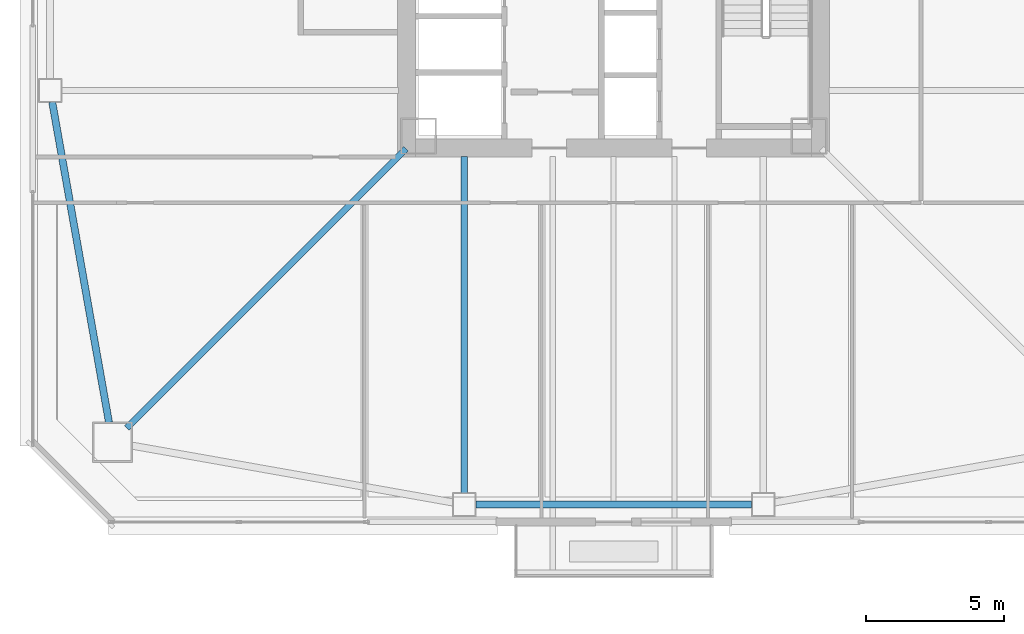
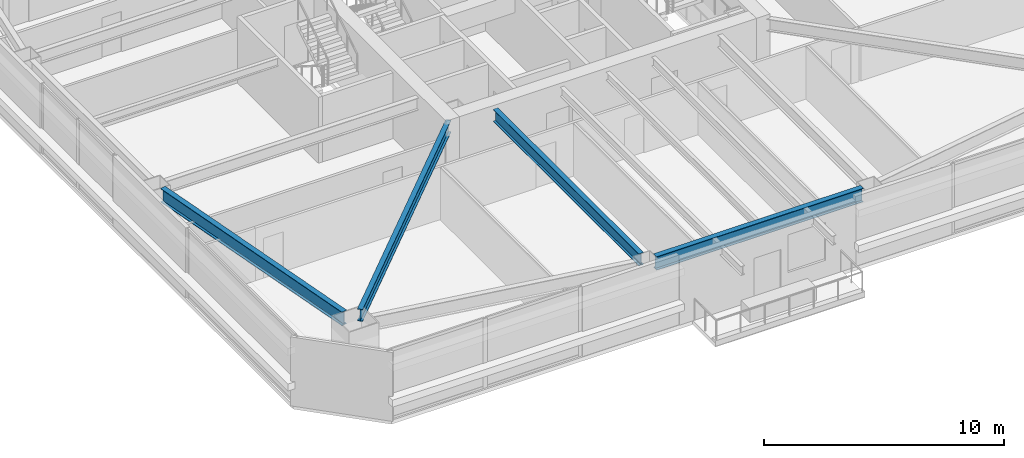
# One storey, part 4 of 44: 4 beams.
"""IFC4 building model written with IfcOpenShell, lengths in metres."""

from ifc_helpers import new_model, si_unit, direction, frame, origin, origin_2d, place, context, subcontext, project, spatial, i_section, extrude, material, material_profile, profile_set, type_object, element, save


model = new_model("IFC4")

# Units and contexts
model_context = context("Model", 3, precision=1e-05, world=origin(), true_north=direction((0.0, 1.0)))
body_context = subcontext(model_context, "Body", "Model", "MODEL_VIEW")
ifc_project = project(units=[si_unit("LENGTHUNIT", "METRE"), si_unit("AREAUNIT", "SQUARE_METRE"), si_unit("VOLUMEUNIT", "CUBIC_METRE"), si_unit("PLANEANGLEUNIT", "RADIAN"), si_unit("MASSUNIT", "GRAM", prefix="KILO")], contexts=[model_context])

# Site, building, storey
site_placement = place(None, origin())
site = spatial("IfcSite", under=ifc_project, at=site_placement, CompositionType="ELEMENT")
building_placement = place(site_placement, origin())
building = spatial("IfcBuilding", under=site, at=building_placement, Name="Tashvorn Skyway Center", CompositionType="ELEMENT")
storey_placement = place(building_placement, frame((0.0, 0.0, 92.050048828125)))
storey = spatial("IfcBuildingStorey", under=building, at=storey_placement, Name="L24", CompositionType="ELEMENT", Elevation=92.050048828125)

# Beams
ifc_material = material(Name="Steel ASTM A992 Grade 50", Category="steel")
ifc_material_profile_1 = material_profile(ifc_material, i_section(OverallWidth=0.22998046875, OverallDepth=0.616943359375, WebThickness=0.01318359375, FlangeThickness=0.022216796875, at=origin_2d()), Name="W24X94")
ifc_profile_set_1 = profile_set([ifc_material_profile_1], Name="Steel ASTM A992 Grade 50")
beam_type_1 = type_object("IfcBeamType", Name="BM-BEAM-W24X94", PredefinedType="BEAM", material=ifc_profile_set_1)
beam_1_placement = place(storey_placement, frame((24.4091796875, 14.4091796875, 3.04150390625), z_axis=(0.707106781187, 0.707106781187, 0.0), x_axis=(-0.707106781187, 0.707106781187, 0.0)))
element("IfcBeam", 1, at=beam_1_placement, inside=storey, type_object=beam_type_1, Name="Tower 1 L24 Primary Floor Girder MC-SW", PredefinedType="BEAM", context=body_context, shape_type="SweptSolid", body=[
    extrude(i_section(OverallWidth=0.22998046875, OverallDepth=0.616943359375, WebThickness=0.01318359375, FlangeThickness=0.022216796875, at=origin_2d()), origin(), (0.0, 0.0, 1.0), 14.261962890625),
])
beam_2_placement = place(storey_placement, frame((36.60009765625, 12.070068359375, 3.04150390625), z_axis=(0.0, 1.0, 0.0), x_axis=(-1.0, 0.0, 0.0)))
element("IfcBeam", 2, at=beam_2_placement, inside=storey, type_object=beam_type_1, Name="Tower 1 L24 Primary Floor Girder FC-S1", PredefinedType="BEAM", context=body_context, shape_type="SweptSolid", body=[
    extrude(i_section(OverallWidth=0.22998046875, OverallDepth=0.616943359375, WebThickness=0.01318359375, FlangeThickness=0.022216796875, at=origin_2d()), origin(), (0.0, 0.0, 1.0), 12.14990234375),
])
ifc_material_profile_2 = material_profile(ifc_material, i_section(OverallWidth=0.256103515625, OverallDepth=0.693115234375, WebThickness=0.014404296875, FlangeThickness=0.023681640625, at=origin_2d()), Name="W27X114")
ifc_profile_set_2 = profile_set([ifc_material_profile_2], Name="Steel ASTM A992 Grade 50")
beam_type_2 = type_object("IfcBeamType", Name="BM-SPANDREL-W27X114", PredefinedType="SPANDREL", material=ifc_profile_set_2)
beam_3_placement = place(storey_placement, frame((37.02001953125, 11.64990234375, 3.00341796875), z_axis=(1.0, 0.0, 0.0), x_axis=(0.0, 1.0, 0.0)))
element("IfcBeam", 3, at=beam_3_placement, inside=storey, type_object=beam_type_2, Name="Tower 1 L24 Spandrel Beam 02", PredefinedType="SPANDREL", context=body_context, shape_type="SweptSolid", body=[
    extrude(i_section(OverallWidth=0.256103515625, OverallDepth=0.693115234375, WebThickness=0.014404296875, FlangeThickness=0.023681640625, at=origin_2d()), origin(), (0.0, 0.0, 1.0), 9.9599609375),
])
beam_4_placement = place(storey_placement, frame((21.723388671875, 26.1865234375, 3.00341796875), z_axis=(0.174437966698, -0.98466816531, 0.0), x_axis=(0.98466816531, 0.174437966698, 0.0)))
element("IfcBeam", 4, at=beam_4_placement, inside=storey, type_object=beam_type_2, Name="Tower 1 L24 Spandrel Beam 12", PredefinedType="SPANDREL", context=body_context, shape_type="SweptSolid", body=[
    extrude(i_section(OverallWidth=0.256103515625, OverallDepth=0.693115234375, WebThickness=0.014404296875, FlangeThickness=0.023681640625, at=origin_2d()), origin(), (0.0, 0.0, 1.0), 11.7578125),
])

save(model, "model.ifc")
